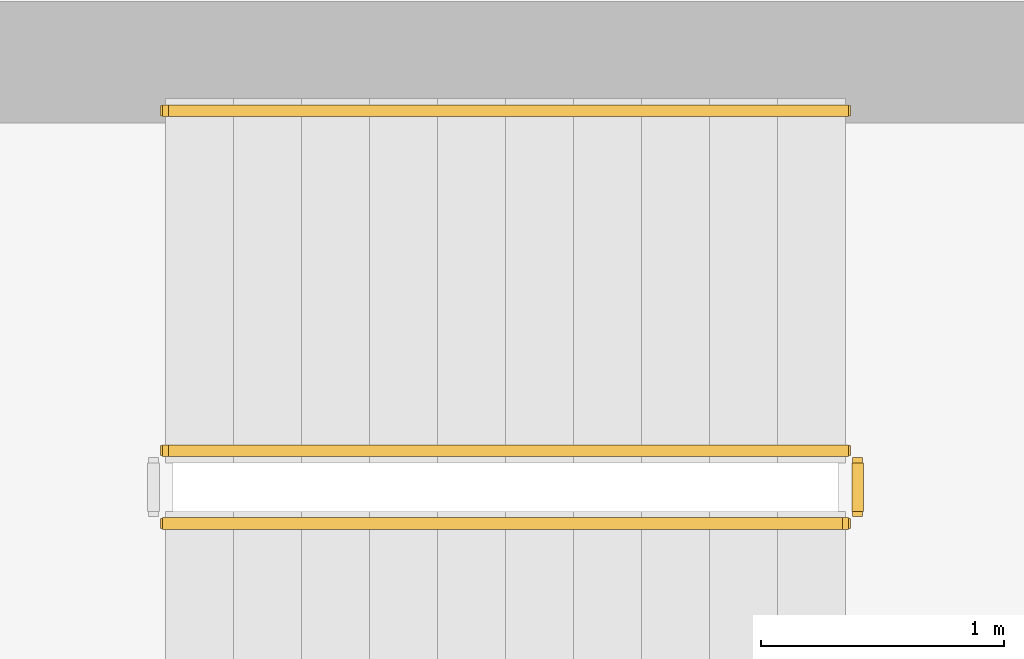
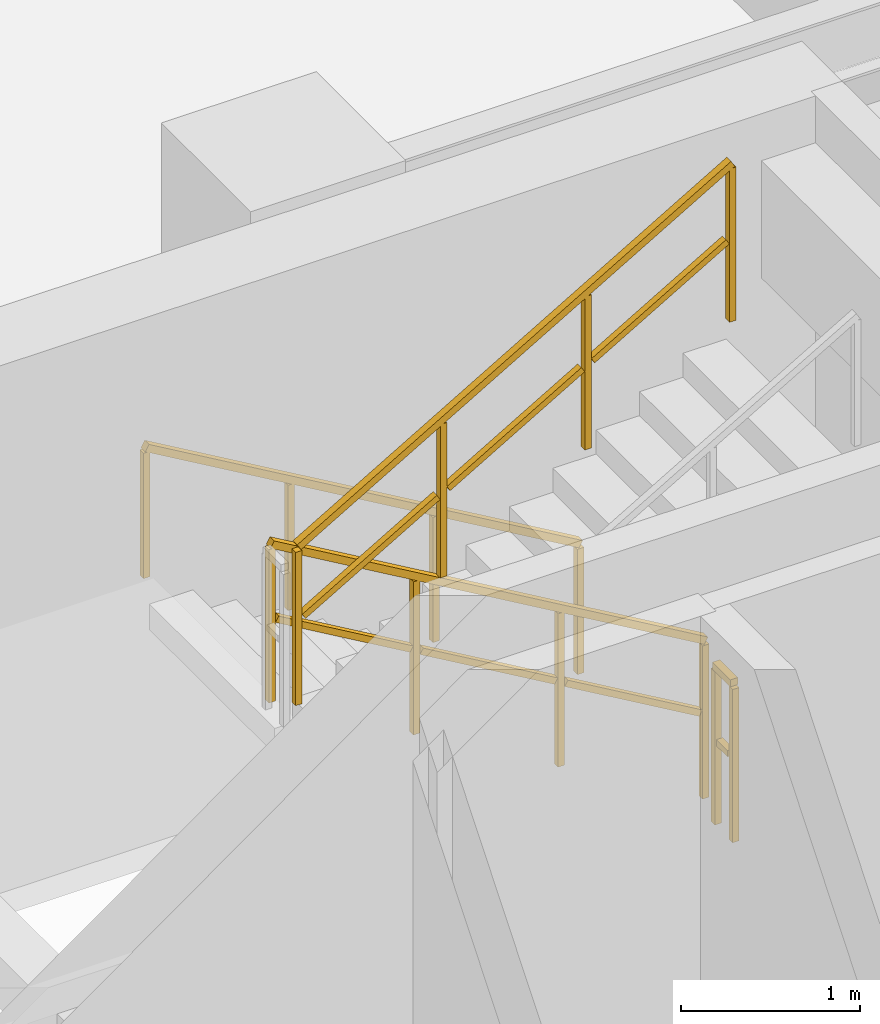
# One storey, part 31 of 33: 4 railings.
"""IFC4 building model written with IfcOpenShell, lengths in metres."""

from ifc_helpers import new_model, si_unit, direction, frame, origin, origin_2d, place, context, subcontext, project, spatial, rectangle, extrude, material, type_object, element, save


model = new_model("IFC4")

# Units and contexts
model_context = context("Model", 3, precision=1e-05, world=origin(), true_north=direction((0.0, 1.0)))
body_context = subcontext(model_context, "Body", "Model", "MODEL_VIEW")
ifc_project = project(units=[si_unit("LENGTHUNIT", "METRE"), si_unit("AREAUNIT", "SQUARE_METRE"), si_unit("VOLUMEUNIT", "CUBIC_METRE"), si_unit("PLANEANGLEUNIT", "RADIAN"), si_unit("MASSUNIT", "GRAM", prefix="KILO")], contexts=[model_context])

# Site, building, storey
site_placement = place(None, origin())
site = spatial("IfcSite", under=ifc_project, at=site_placement, CompositionType="ELEMENT")
building_placement = place(site_placement, origin())
building = spatial("IfcBuilding", under=site, at=building_placement, Name="Thornwick Lancets Civic Towers", CompositionType="ELEMENT")
storey_placement = place(building_placement, frame((0.0, 0.0, 218.10009765625)))
storey = spatial("IfcBuildingStorey", under=building, at=storey_placement, Name="L58", CompositionType="ELEMENT", Elevation=218.10009765625)

# Railings
ifc_material_1 = material(Name="Brushed stainless steel S355", Category="steel")
railing_type_1 = type_object("IfcRailingType", Name="RAIL_HANDRAIL", PredefinedType="HANDRAIL", material=ifc_material_1)
railing_1_placement = place(storey_placement, frame((31.60009765625, 38.949951171875, 0.16357421875)))
element("IfcRailing", 1, at=railing_1_placement, inside=storey, type_object=railing_type_1, Name="L58 ST-A2 stair handrail 1", PredefinedType="HANDRAIL", context=body_context, shape_type="SweptSolid", body=[
    extrude(rectangle(XDim=0.048095703125, YDim=0.048095703125, at=origin_2d()), frame((0.0, 0.0, 0.8857421875), z_axis=(-0.863393664356, 0.0, 0.504530851732), x_axis=(0.0, -1.0, 0.0)), (0.0, 0.0, 1.0), 3.2431640625),
    extrude(rectangle(XDim=0.0419921875, YDim=0.0419921875, at=origin_2d()), origin(), (0.0, 0.0, 1.0), 0.855712890625),
    extrude(rectangle(XDim=0.0419921875, YDim=0.0419921875, at=origin_2d()), frame((-0.933349609375, 0.0, 0.54541015625)), (0.0, 0.0, 1.0), 0.855712890625),
    extrude(rectangle(XDim=0.0419921875, YDim=0.0419921875, at=origin_2d()), frame((-1.86669921875, 0.0, 1.0908203125)), (0.0, 0.0, 1.0), 0.855712890625),
    extrude(rectangle(XDim=0.0419921875, YDim=0.0419921875, at=origin_2d()), frame((-2.800048828125, 0.0, 1.63623046875)), (0.0, 0.0, 1.0), 0.855712890625),
])
ifc_material_2 = material(Name="Steel S355JR", Category="steel")
railing_type_2 = type_object("IfcRailingType", Name="RAIL_STAIR_GUARD", PredefinedType="GUARDRAIL", material=ifc_material_2)
railing_2_placement = place(storey_placement, frame((31.60009765625, 37.550048828125, 0.16357421875)))
element("IfcRailing", 2, at=railing_2_placement, inside=storey, type_object=railing_type_2, Name="L58 ST-A2 stair guard 1", PredefinedType="GUARDRAIL", context=body_context, shape_type="SweptSolid", body=[
    extrude(rectangle(XDim=0.048095703125, YDim=0.048095703125, at=origin_2d()), frame((0.0, 0.0, 1.076171875), z_axis=(-0.863393664356, 0.0, 0.504530851732), x_axis=(0.0, -1.0, 0.0)), (0.0, 0.0, 1.0), 3.2431640625),
    extrude(rectangle(XDim=0.0419921875, YDim=0.0419921875, at=origin_2d()), frame((-0.032470703125, 0.0, 0.591064453125), z_axis=(-0.863393664356, 0.0, 0.504530851732), x_axis=(0.0, -1.0, 0.0)), (0.0, 0.0, 1.0), 1.006103515625),
    extrude(rectangle(XDim=0.0419921875, YDim=0.0419921875, at=origin_2d()), frame((-0.9658203125, 0.0, 1.136474609375), z_axis=(-0.863393664356, 0.0, 0.504530851732), x_axis=(0.0, -1.0, 0.0)), (0.0, 0.0, 1.0), 1.006103515625),
    extrude(rectangle(XDim=0.0419921875, YDim=0.0419921875, at=origin_2d()), frame((-1.899169921875, 0.0, 1.681884765625), z_axis=(-0.863393664356, 0.0, 0.504530851732), x_axis=(0.0, -1.0, 0.0)), (0.0, 0.0, 1.0), 1.006103515625),
    extrude(rectangle(XDim=0.0419921875, YDim=0.0419921875, at=origin_2d()), origin(), (0.0, 0.0, 1.0), 1.0458984375),
    extrude(rectangle(XDim=0.0419921875, YDim=0.0419921875, at=origin_2d()), frame((-0.933349609375, 0.0, 0.54541015625)), (0.0, 0.0, 1.0), 1.0458984375),
    extrude(rectangle(XDim=0.0419921875, YDim=0.0419921875, at=origin_2d()), frame((-1.86669921875, 0.0, 1.0908203125)), (0.0, 0.0, 1.0), 1.0458984375),
    extrude(rectangle(XDim=0.0419921875, YDim=0.0419921875, at=origin_2d()), frame((-2.800048828125, 0.0, 1.63623046875)), (0.0, 0.0, 1.0), 1.0458984375),
])
railing_3_placement = place(storey_placement, frame((28.800048828125, 37.25, 1.963623046875)))
element("IfcRailing", 3, at=railing_3_placement, inside=storey, type_object=railing_type_2, Name="L58 ST-A2 stair guard 3", PredefinedType="GUARDRAIL", context=body_context, shape_type="SweptSolid", body=[
    extrude(rectangle(XDim=0.048095703125, YDim=0.048095703125, at=origin_2d()), frame((0.0, 0.0, 1.076171875), z_axis=(0.863393664356, 0.0, 0.504530851732), x_axis=(0.0, 1.0, 0.0)), (0.0, 0.0, 1.0), 3.2431640625),
    extrude(rectangle(XDim=0.0419921875, YDim=0.0419921875, at=origin_2d()), frame((0.032470703125, 0.0, 0.591064453125), z_axis=(0.863393664356, 0.0, 0.504530851732), x_axis=(0.0, 1.0, 0.0)), (0.0, 0.0, 1.0), 1.006103515625),
    extrude(rectangle(XDim=0.0419921875, YDim=0.0419921875, at=origin_2d()), frame((0.9658203125, 0.0, 1.136474609375), z_axis=(0.863393664356, 0.0, 0.504530851732), x_axis=(0.0, 1.0, 0.0)), (0.0, 0.0, 1.0), 1.006103515625),
    extrude(rectangle(XDim=0.0419921875, YDim=0.0419921875, at=origin_2d()), frame((1.899169921875, 0.0, 1.681884765625), z_axis=(0.863393664356, 0.0, 0.504530851732), x_axis=(0.0, 1.0, 0.0)), (0.0, 0.0, 1.0), 1.006103515625),
    extrude(rectangle(XDim=0.0419921875, YDim=0.0419921875, at=origin_2d()), origin(), (0.0, 0.0, 1.0), 1.0458984375),
    extrude(rectangle(XDim=0.0419921875, YDim=0.0419921875, at=origin_2d()), frame((0.933349609375, 0.0, 0.54541015625)), (0.0, 0.0, 1.0), 1.0458984375),
    extrude(rectangle(XDim=0.0419921875, YDim=0.0419921875, at=origin_2d()), frame((1.86669921875, 0.0, 1.0908203125)), (0.0, 0.0, 1.0), 1.0458984375),
    extrude(rectangle(XDim=0.0419921875, YDim=0.0419921875, at=origin_2d()), frame((2.800048828125, 0.0, 1.63623046875)), (0.0, 0.0, 1.0), 1.0458984375),
])
railing_4_placement = place(storey_placement, frame((31.64990234375, 37.5, 0.0)))
element("IfcRailing", 4, at=railing_4_placement, inside=storey, type_object=railing_type_2, Name="L58 ST-A2 stair guard 4", PredefinedType="GUARDRAIL", context=body_context, shape_type="SweptSolid", body=[
    extrude(rectangle(XDim=0.048095703125, YDim=0.048095703125, at=origin_2d()), frame((0.0, 0.0, 1.076171875), z_axis=(0.0, -1.0, 0.0), x_axis=(1.0, 0.0, 0.0)), (0.0, 0.0, 1.0), 0.199951171875),
    extrude(rectangle(XDim=0.0419921875, YDim=0.0419921875, at=origin_2d()), frame((0.0, -0.03759765625, 0.572021484375), z_axis=(0.0, -1.0, 0.0), x_axis=(1.0, 0.0, 0.0)), (0.0, 0.0, 1.0), 0.125),
    extrude(rectangle(XDim=0.0419921875, YDim=0.0419921875, at=origin_2d()), origin(), (0.0, 0.0, 1.0), 1.0458984375),
    extrude(rectangle(XDim=0.0419921875, YDim=0.0419921875, at=origin_2d()), frame((0.0, -0.199951171875, 0.0)), (0.0, 0.0, 1.0), 1.0458984375),
])

save(model, "model.ifc")
